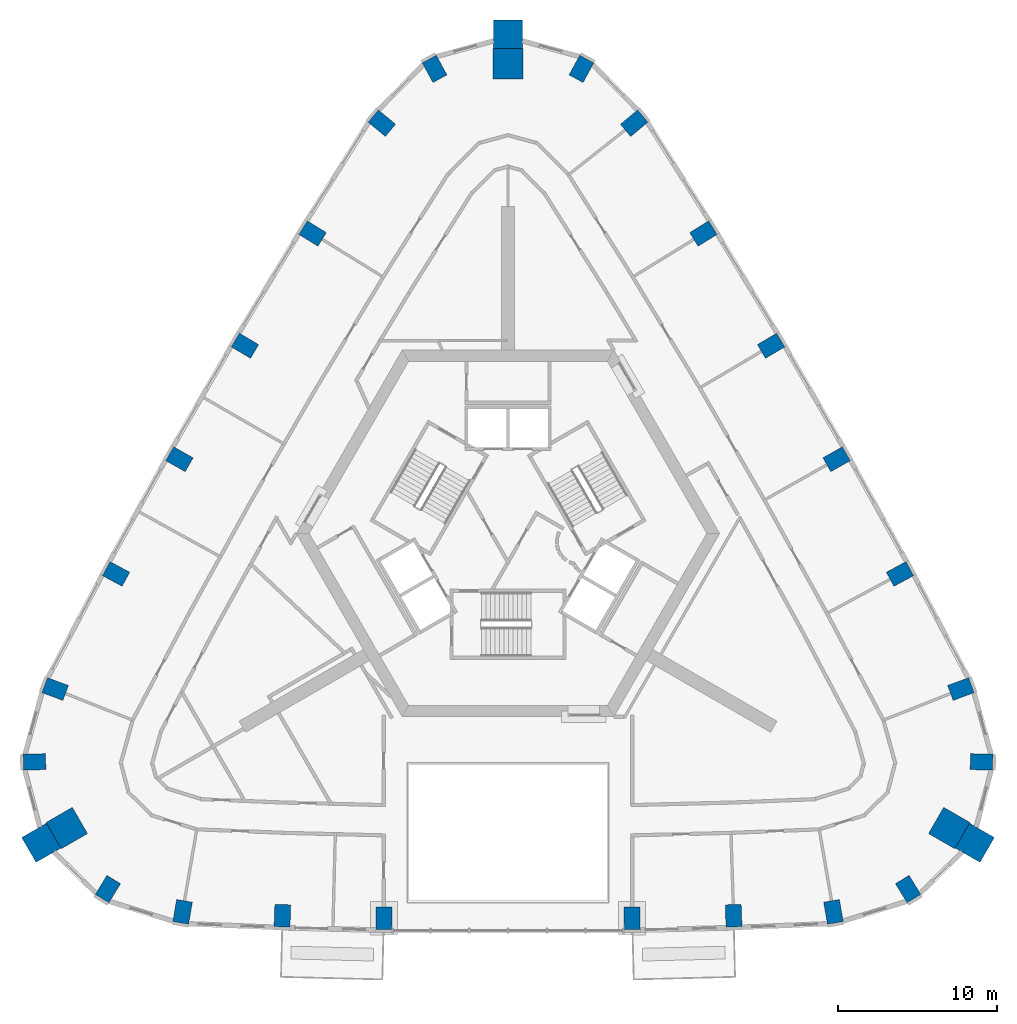
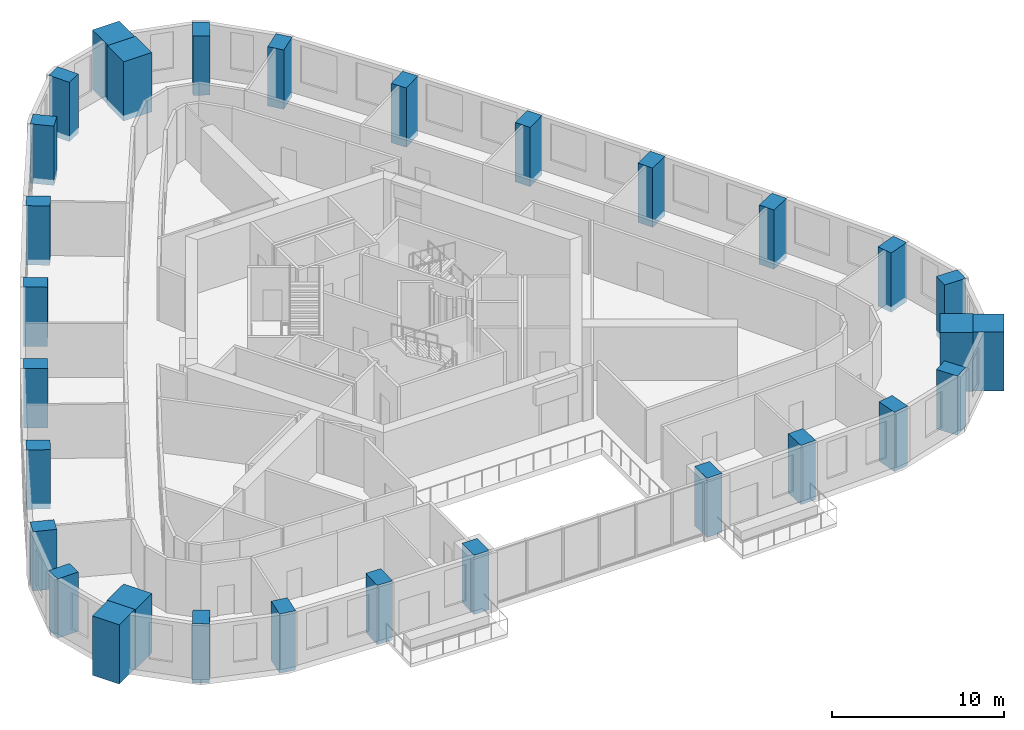
# One storey, part 1 of 11: 30 columns.
"""IFC4 building model written with IfcOpenShell, lengths in metres."""

from ifc_helpers import new_model, si_unit, direction, frame, origin, origin_2d, place, context, subcontext, project, spatial, rectangle, extrude, material, material_profile, profile_set, type_object, element, save


model = new_model("IFC4")

# Units and contexts
model_context = context("Model", 3, precision=1e-05, world=origin(), true_north=direction((0.0, 1.0)))
body_context = subcontext(model_context, "Body", "Model", "MODEL_VIEW")
ifc_project = project(units=[si_unit("LENGTHUNIT", "METRE"), si_unit("AREAUNIT", "SQUARE_METRE"), si_unit("VOLUMEUNIT", "CUBIC_METRE"), si_unit("PLANEANGLEUNIT", "RADIAN"), si_unit("MASSUNIT", "GRAM", prefix="KILO")], contexts=[model_context])

# Site, building, storey
site_placement = place(None, origin())
site = spatial("IfcSite", under=ifc_project, at=site_placement, CompositionType="ELEMENT")
building_placement = place(site_placement, origin())
building = spatial("IfcBuilding", under=site, at=building_placement, Name="Entoto Arch Interchange Tower", CompositionType="ELEMENT")
storey_placement = place(building_placement, frame((0.0, 0.0, 206.60009765625)))
storey = spatial("IfcBuildingStorey", under=building, at=storey_placement, Name="L46", CompositionType="ELEMENT", Elevation=206.60009765625)

# Columns
ifc_material_1 = material(Name="Concrete C50/60", Category="concrete")
ifc_material_profile_1 = material_profile(ifc_material_1, rectangle(XDim=1.0, YDim=1.39990234375, at=origin_2d()))
ifc_profile_set_1 = profile_set([ifc_material_profile_1], Name="Concrete C50/60")
column_type_1 = type_object("IfcColumnType", Name="Column RC 1000x1400 C50/60", PredefinedType="COLUMN", material=ifc_profile_set_1)
for number, where, z_axis, x_axis, name in (
    (1, (-20.4169921875, -21.240966796875, -0.400146484375), (0.0, 0.0, 1.0), (-0.985541276773, 0.169435509195, 0.0), "Column S01 L46"),
    (2, (-14.154052734375, -21.48388671875, -0.400146484375), (0.0, 0.0, 1.0), (-0.999420902032, 0.034027350502, 0.0), "Column S02 L46"),
    (3, (-7.7880859375, -21.64404296875, -0.400146484375), (0.0, 0.0, 1.0), (-0.999913181484, 0.013176854508, 0.0), "Column S03 L46"),
    (4, (7.7880859375, -21.64404296875, -0.400146484375), (0.0, 0.0, 1.0), (0.999913181484, 0.013176854508, 0.0), "Column S04 L46"),
    (5, (14.154052734375, -21.48388671875, -0.400146484375), (0.0, 0.0, 1.0), (0.999420902032, 0.034027350502, 0.0), "Column S05 L46"),
    (6, (20.4169921875, -21.240966796875, -0.400146484375), (0.0, 0.0, 1.0), (0.985541276773, 0.169435509195, 0.0), "Column S06 L46"),
    (7, (25.10205078125, -19.81103515625, -0.400146484375), (0.0, 0.0, 1.0), (0.853423465127, 0.521218178089, 0.0), "Column SE1 L46"),
    (8, (29.70703125, -11.833984375, -0.400146484375), (0.0, 0.0, 1.0), (0.024676450576, 0.99969549003, 0.0), "Column SE3 L46"),
    (9, (28.412109375, -7.263916015625, -0.400146484375), (0.0, 0.0, 1.0), (-0.34706660219, 0.937840484114, 0.0), "Column NE01 L46"),
    (10, (24.591064453125, -0.0419921875, -0.400146484375), (0.0, 0.0, 1.0), (-0.474134310084, 0.880452529102, 0.0), "Column NE02 L46"),
    (11, (20.614990234375, 7.155029296875, -0.400146484375), (0.0, 0.0, 1.0), (-0.491435856222, 0.870913772551, 0.0), "Column NE03 L46"),
    (12, (16.50390625, 14.27490234375, -0.400146484375), (0.0, 0.0, 1.0), (-0.508515523424, 0.861052822095, 0.0), "Column NE04 L46"),
    (13, (12.259033203125, 21.31689453125, -0.400146484375), (0.0, 0.0, 1.0), (-0.525427101986, 0.850838621889, 0.0), "Column NE05 L46"),
    (14, (7.9140625, 28.238037109375, -0.400146484375), (0.0, 0.0, 1.0), (-0.638660382845, 0.769488736359, 0.0), "Column NE06 L46"),
    (15, (4.60498046875, 31.64404296875, -0.400146484375), (0.0, 0.0, 1.0), (-0.878099915703, 0.478477311941, 0.0), "Column N1 L46"),
    (16, (-4.60498046875, 31.64404296875, -0.400146484375), (0.0, 0.0, 1.0), (0.878099915703, 0.478477311941, 0.0), "Column N3 L46"),
    (17, (-7.9140625, 28.238037109375, -0.400146484375), (0.0, 0.0, 1.0), (0.638660382845, 0.769488736359, 0.0), "Column NW01 L46"),
    (18, (-12.259033203125, 21.31689453125, -0.400146484375), (0.0, 0.0, 1.0), (0.525427101986, 0.850838621889, 0.0), "Column NW02 L46"),
    (19, (-16.50390625, 14.27490234375, -0.400146484375), (0.0, 0.0, 1.0), (0.508515523424, 0.861052822095, 0.0), "Column NW03 L46"),
    (20, (-20.614990234375, 7.155029296875, -0.400146484375), (0.0, 0.0, 1.0), (0.491435856222, 0.870913772551, 0.0), "Column NW04 L46"),
    (21, (-24.591064453125, -0.0419921875, -0.400146484375), (0.0, 0.0, 1.0), (0.474134310084, 0.880452529102, 0.0), "Column NW05 L46"),
    (22, (-28.412109375, -7.263916015625, -0.400146484375), (0.0, 0.0, 1.0), (0.34706660219, 0.937840484114, 0.0), "Column NW06 L46"),
    (23, (-29.70703125, -11.833984375, -0.400146484375), (0.0, 0.0, 1.0), (-0.024676450576, 0.99969549003, 0.0), "Column SW1 L46"),
    (24, (-25.10205078125, -19.81103515625, -0.400146484375), (0.0, 0.0, 1.0), (-0.853423465127, 0.521218178089, 0.0), "Column SW3 L46"),
):
    element("IfcColumn", number, at=place(storey_placement, frame(where, z_axis=z_axis, x_axis=x_axis)), inside=storey, type_object=column_type_1, Name=name, PredefinedType="COLUMN", context=body_context, shape_type="SweptSolid", body=[
        extrude(rectangle(XDim=1.0, YDim=1.39990234375, at=origin_2d()), origin(), (0.0, 0.0, 1.0), 4.199951171875),
    ])
ifc_material_2 = material(Name="Precast concrete C40/50", Category="concrete")
ifc_material_profile_2 = material_profile(ifc_material_2, rectangle(XDim=1.800048828125, YDim=1.800048828125, at=origin_2d()))
ifc_profile_set_2 = profile_set([ifc_material_profile_2], Name="Precast concrete C40/50")
column_type_2 = type_object("IfcColumnType", Name="Frame post RC 1800x1800 precast C40/50", PredefinedType="COLUMN", material=ifc_profile_set_2)
for number, where, z_axis, x_axis, name in (
    (25, (29.284912109375, -16.907958984375, -0.400146484375), (0.0, 0.0, 1.0), (-0.866025403784, 0.5, 0.0), "Frame post SE L46"),
    (26, (0.0, 33.81494140625, -0.400146484375), (0.0, 0.0, 1.0), (0.0, 1.0, 0.0), "Frame post N L46"),
    (27, (-29.284912109375, -16.907958984375, -0.400146484375), (0.0, 0.0, 1.0), (0.866025403784, 0.5, 0.0), "Frame post SW L46"),
):
    element("IfcColumn", number, at=place(storey_placement, frame(where, z_axis=z_axis, x_axis=x_axis)), inside=storey, type_object=column_type_2, Name=name, PredefinedType="COLUMN", context=body_context, shape_type="SweptSolid", body=[
        extrude(rectangle(XDim=1.800048828125, YDim=1.800048828125, at=origin_2d()), origin(), (0.0, 0.0, 1.0), 4.199951171875),
    ])
ifc_material_profile_3 = material_profile(ifc_material_1, rectangle(XDim=1.89990234375, YDim=1.89990234375, at=origin_2d()))
ifc_profile_set_3 = profile_set([ifc_material_profile_3], Name="Concrete C50/60")
column_type_3 = type_object("IfcColumnType", Name="Mega column RC 1900x1900 C50/60", PredefinedType="COLUMN", material=ifc_profile_set_3)
for number, where, z_axis, x_axis, name in (
    (28, (27.68310546875, -15.98291015625, -0.400146484375), (0.0, 0.0, 1.0), (-0.866025403784, 0.5, 0.0), "Corner mega column SE2 L46"),
    (29, (0.0, 31.965087890625, -0.400146484375), (0.0, 0.0, 1.0), (0.0, 1.0, 0.0), "Corner mega column N2 L46"),
    (30, (-27.68310546875, -15.98291015625, -0.400146484375), (0.0, 0.0, 1.0), (0.866025403784, 0.5, 0.0), "Corner mega column SW2 L46"),
):
    element("IfcColumn", number, at=place(storey_placement, frame(where, z_axis=z_axis, x_axis=x_axis)), inside=storey, type_object=column_type_3, Name=name, PredefinedType="COLUMN", context=body_context, shape_type="SweptSolid", body=[
        extrude(rectangle(XDim=1.89990234375, YDim=1.89990234375, at=origin_2d()), origin(), (0.0, 0.0, 1.0), 4.199951171875),
    ])

save(model, "model.ifc")
